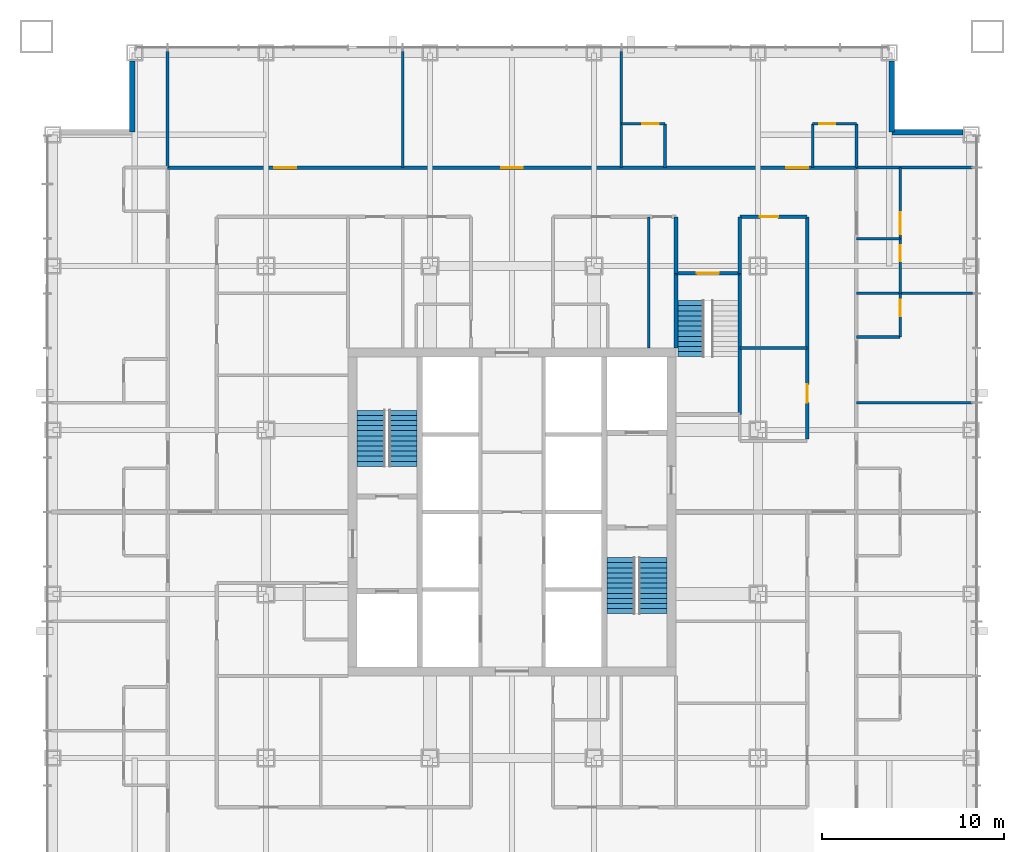
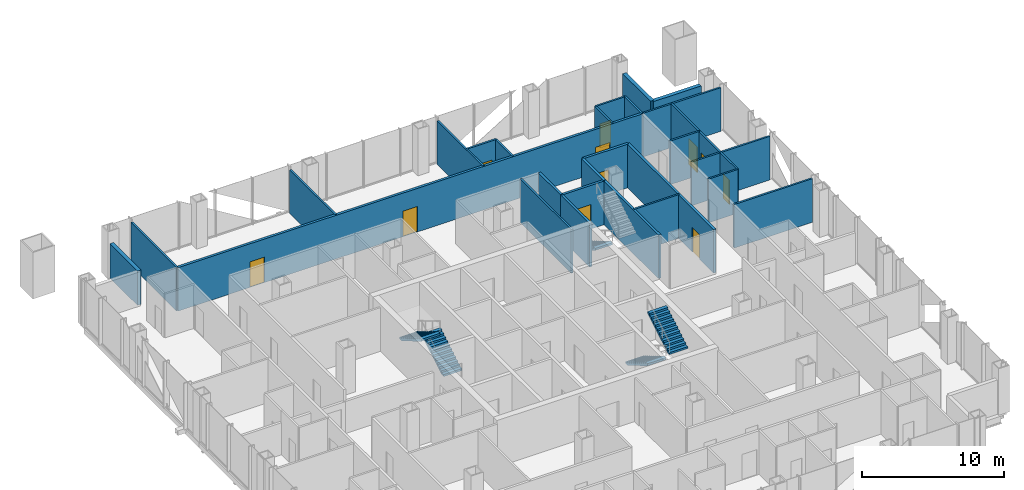
# One storey, part 11 of 17: 29 walls, 11 doors, 5 stair flights, 11 openings, 3 elements without a shape of their own.
"""IFC4 building model written with IfcOpenShell, lengths in metres."""

from ifc_helpers import new_model, si_unit, direction, frame, frame_2d, origin, place, context, subcontext, project, spatial, polyline, rectangle, outline, extrude, material, layer, layer_set, type_object, element, fill, aggregate, save


model = new_model("IFC4")

# Units and contexts
model_context = context("Model", 3, precision=1e-05, world=origin(), true_north=direction((0.0, 1.0)))
body_context = subcontext(model_context, "Body", "Model", "MODEL_VIEW")
ifc_project = project(units=[si_unit("LENGTHUNIT", "METRE"), si_unit("AREAUNIT", "SQUARE_METRE"), si_unit("VOLUMEUNIT", "CUBIC_METRE"), si_unit("PLANEANGLEUNIT", "RADIAN"), si_unit("MASSUNIT", "GRAM", prefix="KILO")], contexts=[model_context])

# Site, building, storey
site_placement = place(None, origin())
site = spatial("IfcSite", under=ifc_project, at=site_placement, CompositionType="ELEMENT")
building_placement = place(site_placement, origin())
building = spatial("IfcBuilding", under=site, at=building_placement, Name="Malebo Sky Hospital", CompositionType="ELEMENT")
storey_placement = place(building_placement, frame((0.0, 0.0, 83.0)))
storey = spatial("IfcBuildingStorey", under=building, at=storey_placement, Name="L19", CompositionType="ELEMENT", Elevation=83.0)

# Wall, openings, doors
ifc_material_1 = material(Name="Gypsum board on steel studs", Category="steel")
ifc_layer_1 = layer(ifc_material_1, 0.199951171875)
ifc_layer_set_1 = layer_set([ifc_layer_1], Name="CORRIDOR WALL 200")
wall_type_1 = type_object("IfcWallType", Name="CORRIDOR WALL 200", PredefinedType="PARTITIONING", material=ifc_layer_set_1)
wall_1_placement = place(storey_placement, frame((41.10009765625, 80.89990234375, 0.0), z_axis=(0.0, 0.0, 1.0), x_axis=(1.0, 0.0, 0.0)))
wall_1 = element("IfcWall", 1, at=wall_1_placement, inside=storey, type_object=wall_type_1, Name="Corridor Wall 200 NCO", PredefinedType="PARTITIONING", context=body_context, shape_type="SweptSolid", body=[
    extrude(rectangle(XDim=37.7998046875, YDim=0.199951171875, at=frame_2d((18.89990234375, 0.0))), origin(), (0.0, 0.0, 1.0), 3.75),
])
opening_1_placement = place(wall_1_placement, frame((5.85009765625, 0.0, 0.0)))
opening_1 = element("IfcOpeningElement", 2, at=opening_1_placement, cuts=wall_1, Name="Opening D01", PredefinedType="OPENING", context=body_context, shape_type="SweptSolid", body=[
    extrude(rectangle(XDim=1.199951171875, YDim=2.199951171875, at=frame_2d((0.60009765625, 1.10009765625))), frame((0.0, 0.10986328125, 0.0), z_axis=(0.0, -1.0, 0.0), x_axis=(1.0, 0.0, 0.0)), (0.0, 0.0, 1.0), 0.219970703125),
])
opening_2_placement = place(wall_1_placement, frame((18.300048828125, 0.0, 0.0)))
opening_2 = element("IfcOpeningElement", 3, at=opening_2_placement, cuts=wall_1, Name="Opening D01", PredefinedType="OPENING", context=body_context, shape_type="SweptSolid", body=[
    extrude(rectangle(XDim=1.199951171875, YDim=2.199951171875, at=frame_2d((0.60009765625, 1.10009765625))), frame((0.0, 0.10986328125, 0.0), z_axis=(0.0, -1.0, 0.0), x_axis=(1.0, 0.0, 0.0)), (0.0, 0.0, 1.0), 0.219970703125),
])
opening_3_placement = place(wall_1_placement, frame((33.949951171875, 0.0, 0.0)))
opening_3 = element("IfcOpeningElement", 4, at=opening_3_placement, cuts=wall_1, Name="Opening D01", PredefinedType="OPENING", context=body_context, shape_type="SweptSolid", body=[
    extrude(rectangle(XDim=1.199951171875, YDim=2.199951171875, at=frame_2d((0.60009765625, 1.10009765625))), frame((0.0, 0.10986328125, 0.0), z_axis=(0.0, -1.0, 0.0), x_axis=(1.0, 0.0, 0.0)), (0.0, 0.0, 1.0), 0.219970703125),
])
ifc_material_2 = material(Name="Hardwood-faced door leaf in steel frame", Category="steel")
door_type_1 = type_object("IfcDoorType", Name="BED DOOR 1200", OperationType="SINGLE_SWING_LEFT", PredefinedType="DOOR", material=ifc_material_2)
door_1_placement = place(opening_1_placement, origin())
door_1 = element("IfcDoor", 5, at=door_1_placement, inside=storey, type_object=door_type_1, Name="Dining room door", OperationType="SINGLE_SWING_LEFT", OverallHeight=2.199951171875, OverallWidth=1.199951171875, PredefinedType="DOOR", context=body_context, shape_type="SweptSolid", body=[
    extrude(rectangle(XDim=1.199951171875, YDim=2.199951171875, at=frame_2d((0.60009765625, 1.10009765625))), frame((0.0, 0.02490234375, 0.0), z_axis=(0.0, -1.0, 0.0), x_axis=(1.0, 0.0, 0.0)), (0.0, 0.0, 1.0), 0.050048828125),
])
fill(opening_1, door_1)
door_2_placement = place(opening_2_placement, origin())
door_2 = element("IfcDoor", 6, at=door_2_placement, inside=storey, type_object=door_type_1, Name="Therapy gym door", OperationType="SINGLE_SWING_LEFT", OverallHeight=2.199951171875, OverallWidth=1.199951171875, PredefinedType="DOOR", context=body_context, shape_type="SweptSolid", body=[
    extrude(rectangle(XDim=1.199951171875, YDim=2.199951171875, at=frame_2d((0.60009765625, 1.10009765625))), frame((0.0, 0.02490234375, 0.0), z_axis=(0.0, -1.0, 0.0), x_axis=(1.0, 0.0, 0.0)), (0.0, 0.0, 1.0), 0.050048828125),
])
fill(opening_2, door_2)
door_3_placement = place(opening_3_placement, origin())
door_3 = element("IfcDoor", 7, at=door_3_placement, inside=storey, type_object=door_type_1, Name="Four-bed bay door", OperationType="SINGLE_SWING_RIGHT", OverallHeight=2.199951171875, OverallWidth=1.199951171875, PredefinedType="DOOR", context=body_context, shape_type="SweptSolid", body=[
    extrude(rectangle(XDim=1.199951171875, YDim=2.199951171875, at=frame_2d((0.60009765625, 1.10009765625))), frame((0.0, 0.02490234375, 0.0), z_axis=(0.0, -1.0, 0.0), x_axis=(1.0, 0.0, 0.0)), (0.0, 0.0, 1.0), 0.050048828125),
])
fill(opening_3, door_3)

# Wall, opening, door
wall_2_placement = place(storey_placement, frame((72.5, 78.199951171875, 0.0), z_axis=(0.0, 0.0, 1.0), x_axis=(1.0, 0.0, 0.0)))
wall_2 = element("IfcWall", 8, at=wall_2_placement, inside=storey, type_object=wall_type_1, Name="Corridor Wall 200 NCI2/2", PredefinedType="PARTITIONING", context=body_context, shape_type="SweptSolid", body=[
    extrude(rectangle(XDim=3.699951171875, YDim=0.199951171875, at=frame_2d((1.85009765625, 0.0))), origin(), (0.0, 0.0, 1.0), 3.75),
])
opening_4_placement = place(wall_2_placement, frame((1.10009765625, 0.0, 0.0)))
opening_4 = element("IfcOpeningElement", 9, at=opening_4_placement, cuts=wall_2, Name="Opening D03", PredefinedType="OPENING", context=body_context, shape_type="SweptSolid", body=[
    extrude(rectangle(XDim=1.0, YDim=2.10009765625, at=frame_2d((0.5, 1.050048828125))), frame((0.0, 0.10986328125, 0.0), z_axis=(0.0, -1.0, 0.0), x_axis=(1.0, 0.0, 0.0)), (0.0, 0.0, 1.0), 0.219970703125),
])
door_type_2 = type_object("IfcDoorType", Name="ROOM DOOR 1000", OperationType="SINGLE_SWING_LEFT", PredefinedType="DOOR", material=ifc_material_2)
door_4_placement = place(opening_4_placement, origin())
door_4 = element("IfcDoor", 10, at=door_4_placement, inside=storey, type_object=door_type_2, Name="Clean utility room door", OperationType="SINGLE_SWING_LEFT", OverallHeight=2.10009765625, OverallWidth=1.0, PredefinedType="DOOR", context=body_context, shape_type="SweptSolid", body=[
    extrude(rectangle(XDim=1.0, YDim=2.10009765625, at=frame_2d((0.5, 1.050048828125))), frame((0.0, 0.02490234375, 0.0), z_axis=(0.0, -1.0, 0.0), x_axis=(1.0, 0.0, 0.0)), (0.0, 0.0, 1.0), 0.050048828125),
])
fill(opening_4, door_4)

wall_3_placement = place(storey_placement, frame((76.199951171875, 78.199951171875, 0.0), z_axis=(0.0, 0.0, 1.0), x_axis=(0.0, -1.0, 0.0)))
wall_3 = element("IfcWall", 11, at=wall_3_placement, inside=storey, type_object=wall_type_1, Name="Corridor Wall 200 ECI1", PredefinedType="PARTITIONING", context=body_context, shape_type="SweptSolid", body=[
    extrude(rectangle(XDim=12.199951171875, YDim=0.199951171875, at=frame_2d((6.10009765625, 0.0))), origin(), (0.0, 0.0, 1.0), 3.75),
])
opening_5_placement = place(wall_3_placement, frame((9.199951171875, 0.0, 0.0)))
opening_5 = element("IfcOpeningElement", 12, at=opening_5_placement, cuts=wall_3, Name="Opening D03", PredefinedType="OPENING", context=body_context, shape_type="SweptSolid", body=[
    extrude(rectangle(XDim=1.0, YDim=2.10009765625, at=frame_2d((0.5, 1.050048828125))), frame((0.0, 0.10986328125, 0.0), z_axis=(0.0, -1.0, 0.0), x_axis=(1.0, 0.0, 0.0)), (0.0, 0.0, 1.0), 0.219970703125),
])
door_5_placement = place(opening_5_placement, origin())
door_5 = element("IfcDoor", 13, at=door_5_placement, inside=storey, type_object=door_type_2, Name="Interview room door", OperationType="SINGLE_SWING_LEFT", OverallHeight=2.10009765625, OverallWidth=1.0, PredefinedType="DOOR", context=body_context, shape_type="SweptSolid", body=[
    extrude(rectangle(XDim=1.0, YDim=2.10009765625, at=frame_2d((0.5, 1.050048828125))), frame((0.0, 0.02490234375, 0.0), z_axis=(0.0, -1.0, 0.0), x_axis=(1.0, 0.0, 0.0)), (0.0, 0.0, 1.0), 0.050048828125),
])
fill(opening_5, door_5)

# Walls
for number, where, z_axis, x_axis, name in (
    (14, (69.0, 75.10009765625, 0.0), (0.0, 0.0, 1.0), (0.0, 1.0, 0.0), "Corridor Wall 200 ST3AW"),
    (15, (72.5, 75.10009765625, 0.0), (0.0, 0.0, 1.0), (0.0, 1.0, 0.0), "Corridor Wall 200 ST3AE"),
):
    element("IfcWall", number, at=place(storey_placement, frame(where, z_axis=z_axis, x_axis=x_axis)), inside=storey, type_object=wall_type_1, Name=name, PredefinedType="PARTITIONING", context=body_context, shape_type="SweptSolid", body=[
        extrude(rectangle(XDim=3.099853515625, YDim=0.199951171875, at=frame_2d((1.5498046875, 0.0))), origin(), (0.0, 0.0, 1.0), 3.75),
    ])
ifc_material_3 = material(Name="Anodised aluminium rainscreen on steel framing", Category="steel")
ifc_layer_2 = layer(ifc_material_3, 0.300048828125)
ifc_layer_set_2 = layer_set([ifc_layer_2], Name="NOTCH RAINSCREEN WALL 300")
wall_type_2 = type_object("IfcWallType", Name="NOTCH RAINSCREEN WALL 300", PredefinedType="ELEMENTEDWALL", material=ifc_layer_set_2)
for number, where, z_axis, x_axis, name in (
    (16, (80.85009765625, 86.75, 0.0), (0.0, 0.0, 1.0), (0.0, -1.0, 0.0), "Notch rainscreen wall N1 L19"),
    (17, (80.85009765625, 82.85009765625, 0.0), (0.0, 0.0, 1.0), (1.0, 0.0, 0.0), "Notch rainscreen wall N2 L19"),
    (18, (39.14990234375, 82.85009765625, 0.0), (0.0, 0.0, 1.0), (0.0, 1.0, 0.0), "Notch rainscreen wall W2 L19"),
):
    element("IfcWall", number, at=place(storey_placement, frame(where, z_axis=z_axis, x_axis=x_axis)), inside=storey, type_object=wall_type_2, Name=name, PredefinedType="ELEMENTEDWALL", context=body_context, shape_type="SweptSolid", body=[
        extrude(rectangle(XDim=3.89990234375, YDim=0.300048828125, at=frame_2d((1.949951171875, 0.0))), origin(), (0.0, 0.0, 1.0), 2.949951171875),
    ])
ifc_layer_3 = layer(ifc_material_1, 0.14990234375)
ifc_layer_set_3 = layer_set([ifc_layer_3], Name="PARTITION 150")
wall_type_3 = type_object("IfcWallType", Name="PARTITION 150", PredefinedType="PARTITIONING", material=ifc_layer_set_3)
for number, where, z_axis, x_axis, name in (
    (19, (54.0, 80.89990234375, 0.0), (0.0, 0.0, 1.0), (0.0, 1.0, 0.0), "Partition 150 NP-6.0"),
    (20, (66.0, 80.89990234375, 0.0), (0.0, 0.0, 1.0), (0.0, 1.0, 0.0), "Partition 150 NP+6.0"),
    (21, (41.10009765625, 80.89990234375, 0.0), (0.0, 0.0, 1.0), (0.0, 1.0, 0.0), "Partition 150 NP0"),
):
    element("IfcWall", number, at=place(storey_placement, frame(where, z_axis=z_axis, x_axis=x_axis)), inside=storey, type_object=wall_type_3, Name=name, PredefinedType="PARTITIONING", context=body_context, shape_type="SweptSolid", body=[
        extrude(rectangle(XDim=6.375, YDim=0.14990234375, at=frame_2d((3.1875, 0.0))), origin(), (0.0, 0.0, 1.0), 3.75),
    ])

# Wall, opening, door
wall_4_placement = place(storey_placement, frame((76.5, 83.300048828125, 0.0), z_axis=(0.0, 0.0, 1.0), x_axis=(1.0, 0.0, 0.0)))
wall_4 = element("IfcWall", 22, at=wall_4_placement, inside=storey, type_object=wall_type_3, Name="Partition 150 NE2F", PredefinedType="PARTITIONING", context=body_context, shape_type="SweptSolid", body=[
    extrude(rectangle(XDim=2.39990234375, YDim=0.14990234375, at=frame_2d((1.199951171875, 0.0))), origin(), (0.0, 0.0, 1.0), 3.75),
])
opening_6_placement = place(wall_4_placement, frame((0.35009765625, 0.0, 0.0)))
opening_6 = element("IfcOpeningElement", 23, at=opening_6_placement, cuts=wall_4, Name="Opening D02", PredefinedType="OPENING", context=body_context, shape_type="SweptSolid", body=[
    extrude(rectangle(XDim=0.89990234375, YDim=2.10009765625, at=frame_2d((0.449951171875, 1.050048828125))), frame((0.0, 0.0849609375, 0.0), z_axis=(0.0, -1.0, 0.0), x_axis=(1.0, 0.0, 0.0)), (0.0, 0.0, 1.0), 0.169921875),
])
door_type_3 = type_object("IfcDoorType", Name="EN-SUITE DOOR 900", OperationType="SINGLE_SWING_LEFT", PredefinedType="DOOR", material=ifc_material_2)
door_6_placement = place(opening_6_placement, origin())
door_6 = element("IfcDoor", 24, at=door_6_placement, inside=storey, type_object=door_type_3, Name="En-suite door", OperationType="SINGLE_SWING_LEFT", OverallHeight=2.10009765625, OverallWidth=0.89990234375, PredefinedType="DOOR", context=body_context, shape_type="SweptSolid", body=[
    extrude(rectangle(XDim=0.89990234375, YDim=2.10009765625, at=frame_2d((0.449951171875, 1.050048828125))), frame((0.0, 0.02490234375, 0.0), z_axis=(0.0, -1.0, 0.0), x_axis=(1.0, 0.0, 0.0)), (0.0, 0.0, 1.0), 0.050048828125),
])
fill(opening_6, door_6)

# Wall
wall_5_placement = place(storey_placement, frame((76.5, 80.89990234375, 0.0), z_axis=(0.0, 0.0, 1.0), x_axis=(0.0, 1.0, 0.0)))
element("IfcWall", 25, at=wall_5_placement, inside=storey, type_object=wall_type_3, Name="Partition 150 NE2S", PredefinedType="PARTITIONING", context=body_context, shape_type="SweptSolid", body=[
    extrude(rectangle(XDim=2.400146484375, YDim=0.14990234375, at=frame_2d((1.2001953125, 0.0))), origin(), (0.0, 0.0, 1.0), 3.75),
])

# Wall, opening, door
wall_6_placement = place(storey_placement, frame((66.0, 83.300048828125, 0.0), z_axis=(0.0, 0.0, 1.0), x_axis=(1.0, 0.0, 0.0)))
wall_6 = element("IfcWall", 26, at=wall_6_placement, inside=storey, type_object=wall_type_3, Name="Partition 150 NG2F", PredefinedType="PARTITIONING", context=body_context, shape_type="SweptSolid", body=[
    extrude(rectangle(XDim=2.39990234375, YDim=0.14990234375, at=frame_2d((1.199951171875, 0.0))), origin(), (0.0, 0.0, 1.0), 3.75),
])
opening_7_placement = place(wall_6_placement, frame((1.14990234375, 0.0, 0.0)))
opening_7 = element("IfcOpeningElement", 27, at=opening_7_placement, cuts=wall_6, Name="Opening D02", PredefinedType="OPENING", context=body_context, shape_type="SweptSolid", body=[
    extrude(rectangle(XDim=0.89990234375, YDim=2.10009765625, at=frame_2d((0.449951171875, 1.050048828125))), frame((0.0, 0.0849609375, 0.0), z_axis=(0.0, -1.0, 0.0), x_axis=(1.0, 0.0, 0.0)), (0.0, 0.0, 1.0), 0.169921875),
])
door_7_placement = place(opening_7_placement, origin())
door_7 = element("IfcDoor", 28, at=door_7_placement, inside=storey, type_object=door_type_3, Name="En-suite door", OperationType="SINGLE_SWING_RIGHT", OverallHeight=2.10009765625, OverallWidth=0.89990234375, PredefinedType="DOOR", context=body_context, shape_type="SweptSolid", body=[
    extrude(rectangle(XDim=0.89990234375, YDim=2.10009765625, at=frame_2d((0.449951171875, 1.050048828125))), frame((0.0, 0.02490234375, 0.0), z_axis=(0.0, -1.0, 0.0), x_axis=(1.0, 0.0, 0.0)), (0.0, 0.0, 1.0), 0.050048828125),
])
fill(opening_7, door_7)

# Walls
for number, where, z_axis, x_axis, name in (
    (29, (68.39990234375, 80.89990234375, 0.0), (0.0, 0.0, 1.0), (0.0, 1.0, 0.0), "Partition 150 NG2S"),
    (30, (78.89990234375, 80.89990234375, 0.0), (0.0, 0.0, 1.0), (0.0, 1.0, 0.0), "Partition 150 NEZ"),
):
    element("IfcWall", number, at=place(storey_placement, frame(where, z_axis=z_axis, x_axis=x_axis)), inside=storey, type_object=wall_type_3, Name=name, PredefinedType="PARTITIONING", context=body_context, shape_type="SweptSolid", body=[
        extrude(rectangle(XDim=2.400146484375, YDim=0.14990234375, at=frame_2d((1.2001953125, 0.0))), origin(), (0.0, 0.0, 1.0), 3.75),
    ])
wall_7_placement = place(storey_placement, frame((67.5, 71.0, 0.0), z_axis=(0.0, 0.0, 1.0), x_axis=(0.0, 1.0, 0.0)))
element("IfcWall", 31, at=wall_7_placement, inside=storey, type_object=wall_type_3, Name="Partition 150 NSP+7.5", PredefinedType="PARTITIONING", context=body_context, shape_type="SweptSolid", body=[
    extrude(rectangle(XDim=7.199951171875, YDim=0.14990234375, at=frame_2d((3.60009765625, 0.0))), origin(), (0.0, 0.0, 1.0), 3.75),
])
for number, where, z_axis, x_axis, name in (
    (32, (78.89990234375, 74.0, 0.0), (0.0, 0.0, 1.0), (1.0, 0.0, 0.0), "Partition 150 EP-12.0"),
    (33, (78.89990234375, 68.0, 0.0), (0.0, 0.0, 1.0), (1.0, 0.0, 0.0), "Partition 150 EP-6.0"),
    (34, (78.89990234375, 80.89990234375, 0.0), (0.0, 0.0, 1.0), (1.0, 0.0, 0.0), "Partition 150 EP0"),
):
    element("IfcWall", number, at=place(storey_placement, frame(where, z_axis=z_axis, x_axis=x_axis)), inside=storey, type_object=wall_type_3, Name=name, PredefinedType="PARTITIONING", context=body_context, shape_type="SweptSolid", body=[
        extrude(rectangle(XDim=6.375, YDim=0.14990234375, at=frame_2d((3.1875, 0.0))), origin(), (0.0, 0.0, 1.0), 3.75),
    ])

# Wall, opening, door
wall_8_placement = place(storey_placement, frame((81.300048828125, 77.0, 0.0), z_axis=(0.0, 0.0, 1.0), x_axis=(0.0, -1.0, 0.0)))
wall_8 = element("IfcWall", 35, at=wall_8_placement, inside=storey, type_object=wall_type_3, Name="Partition 150 EE0F", PredefinedType="PARTITIONING", context=body_context, shape_type="SweptSolid", body=[
    extrude(rectangle(XDim=3.0, YDim=0.14990234375, at=frame_2d((1.5, 0.0))), origin(), (0.0, 0.0, 1.0), 3.75),
])
opening_8_placement = place(wall_8_placement, frame((0.35009765625, 0.0, 0.0)))
opening_8 = element("IfcOpeningElement", 36, at=opening_8_placement, cuts=wall_8, Name="Opening D02", PredefinedType="OPENING", context=body_context, shape_type="SweptSolid", body=[
    extrude(rectangle(XDim=0.89990234375, YDim=2.10009765625, at=frame_2d((0.449951171875, 1.050048828125))), frame((0.0, 0.0849609375, 0.0), z_axis=(0.0, -1.0, 0.0), x_axis=(1.0, 0.0, 0.0)), (0.0, 0.0, 1.0), 0.169921875),
])
door_8_placement = place(opening_8_placement, origin())
door_8 = element("IfcDoor", 37, at=door_8_placement, inside=storey, type_object=door_type_3, Name="En-suite door", OperationType="SINGLE_SWING_LEFT", OverallHeight=2.10009765625, OverallWidth=0.89990234375, PredefinedType="DOOR", context=body_context, shape_type="SweptSolid", body=[
    extrude(rectangle(XDim=0.89990234375, YDim=2.10009765625, at=frame_2d((0.449951171875, 1.050048828125))), frame((0.0, 0.02490234375, 0.0), z_axis=(0.0, -1.0, 0.0), x_axis=(1.0, 0.0, 0.0)), (0.0, 0.0, 1.0), 0.050048828125),
])
fill(opening_8, door_8)

# Wall
wall_9_placement = place(storey_placement, frame((78.89990234375, 77.0, 0.0), z_axis=(0.0, 0.0, 1.0), x_axis=(1.0, 0.0, 0.0)))
element("IfcWall", 38, at=wall_9_placement, inside=storey, type_object=wall_type_3, Name="Partition 150 EE0S", PredefinedType="PARTITIONING", context=body_context, shape_type="SweptSolid", body=[
    extrude(rectangle(XDim=2.400146484375, YDim=0.14990234375, at=frame_2d((1.2001953125, 0.0))), origin(), (0.0, 0.0, 1.0), 3.75),
])

# Wall, opening, door
wall_10_placement = place(storey_placement, frame((81.300048828125, 74.0, 0.0), z_axis=(0.0, 0.0, 1.0), x_axis=(0.0, -1.0, 0.0)))
wall_10 = element("IfcWall", 39, at=wall_10_placement, inside=storey, type_object=wall_type_3, Name="Partition 150 EE1F", PredefinedType="PARTITIONING", context=body_context, shape_type="SweptSolid", body=[
    extrude(rectangle(XDim=2.39990234375, YDim=0.14990234375, at=frame_2d((1.199951171875, 0.0))), origin(), (0.0, 0.0, 1.0), 3.75),
])
opening_9_placement = place(wall_10_placement, frame((0.35009765625, 0.0, 0.0)))
opening_9 = element("IfcOpeningElement", 40, at=opening_9_placement, cuts=wall_10, Name="Opening D02", PredefinedType="OPENING", context=body_context, shape_type="SweptSolid", body=[
    extrude(rectangle(XDim=0.89990234375, YDim=2.10009765625, at=frame_2d((0.449951171875, 1.050048828125))), frame((0.0, 0.0849609375, 0.0), z_axis=(0.0, -1.0, 0.0), x_axis=(1.0, 0.0, 0.0)), (0.0, 0.0, 1.0), 0.169921875),
])
door_9_placement = place(opening_9_placement, origin())
door_9 = element("IfcDoor", 41, at=door_9_placement, inside=storey, type_object=door_type_3, Name="En-suite door", OperationType="SINGLE_SWING_LEFT", OverallHeight=2.10009765625, OverallWidth=0.89990234375, PredefinedType="DOOR", context=body_context, shape_type="SweptSolid", body=[
    extrude(rectangle(XDim=0.89990234375, YDim=2.10009765625, at=frame_2d((0.449951171875, 1.050048828125))), frame((0.0, 0.02490234375, 0.0), z_axis=(0.0, -1.0, 0.0), x_axis=(1.0, 0.0, 0.0)), (0.0, 0.0, 1.0), 0.050048828125),
])
fill(opening_9, door_9)

# Walls
wall_11_placement = place(storey_placement, frame((78.89990234375, 71.60009765625, 0.0), z_axis=(0.0, 0.0, 1.0), x_axis=(1.0, 0.0, 0.0)))
element("IfcWall", 42, at=wall_11_placement, inside=storey, type_object=wall_type_3, Name="Partition 150 EE1S", PredefinedType="PARTITIONING", context=body_context, shape_type="SweptSolid", body=[
    extrude(rectangle(XDim=2.400146484375, YDim=0.14990234375, at=frame_2d((1.2001953125, 0.0))), origin(), (0.0, 0.0, 1.0), 3.75),
])
wall_12_placement = place(storey_placement, frame((72.5, 71.0, 0.0), z_axis=(0.0, 0.0, 1.0), x_axis=(1.0, 0.0, 0.0)))
element("IfcWall", 43, at=wall_12_placement, inside=storey, type_object=wall_type_3, Name="Partition 150 ESP0", PredefinedType="PARTITIONING", context=body_context, shape_type="SweptSolid", body=[
    extrude(rectangle(XDim=3.699951171875, YDim=0.14990234375, at=frame_2d((1.85009765625, 0.0))), origin(), (0.0, 0.0, 1.0), 3.75),
])

# Wall, opening, door
ifc_material_4 = material(Name="Sealed gypsum board on steel studs, taped to the slab", Category="steel")
ifc_layer_4 = layer(ifc_material_4, 0.14990234375)
ifc_layer_set_4 = layer_set([ifc_layer_4], Name="SEALED ISOLATION PARTITION 150")
wall_type_4 = type_object("IfcWallType", Name="SEALED ISOLATION PARTITION 150", PredefinedType="PARTITIONING", material=ifc_layer_set_4)
wall_13_placement = place(storey_placement, frame((81.300048828125, 80.89990234375, 0.0), z_axis=(0.0, 0.0, 1.0), x_axis=(0.0, -1.0, 0.0)))
wall_13 = element("IfcWall", 44, at=wall_13_placement, inside=storey, type_object=wall_type_4, Name="Sealed Isolation Partition 150 EA0F", PredefinedType="PARTITIONING", context=body_context, shape_type="SweptSolid", body=[
    extrude(rectangle(XDim=3.89990234375, YDim=0.14990234375, at=frame_2d((1.949951171875, 0.0))), origin(), (0.0, 0.0, 1.0), 3.75),
])
opening_10_placement = place(wall_13_placement, frame((2.449951171875, 0.0, 0.0)))
opening_10 = element("IfcOpeningElement", 45, at=opening_10_placement, cuts=wall_13, Name="Opening D19", PredefinedType="OPENING", context=body_context, shape_type="SweptSolid", body=[
    extrude(rectangle(XDim=1.199951171875, YDim=2.199951171875, at=frame_2d((0.60009765625, 1.10009765625))), frame((0.0, 0.0849609375, 0.0), z_axis=(0.0, -1.0, 0.0), x_axis=(1.0, 0.0, 0.0)), (0.0, 0.0, 1.0), 0.169921875),
])
ifc_material_5 = material(Name="Hardwood-faced door leaf with perimeter seals in steel frame", Category="steel")
door_type_4 = type_object("IfcDoorType", Name="SEALED ISOLATION ROOM DOOR 1200", OperationType="SINGLE_SWING_LEFT", PredefinedType="DOOR", material=ifc_material_5)
door_10_placement = place(opening_10_placement, origin())
door_10 = element("IfcDoor", 46, at=door_10_placement, inside=storey, type_object=door_type_4, Name="Isolation room door", OperationType="SINGLE_SWING_RIGHT", OverallHeight=2.199951171875, OverallWidth=1.199951171875, PredefinedType="DOOR", context=body_context, shape_type="SweptSolid", body=[
    extrude(rectangle(XDim=1.199951171875, YDim=2.199951171875, at=frame_2d((0.60009765625, 1.10009765625))), frame((0.0, 0.02490234375, 0.0), z_axis=(0.0, -1.0, 0.0), x_axis=(1.0, 0.0, 0.0)), (0.0, 0.0, 1.0), 0.050048828125),
])
fill(opening_10, door_10)

# Walls
ifc_material_6 = material(Name="Concrete C40/50", Category="concrete")
ifc_layer_5 = layer(ifc_material_6, 0.199951171875)
ifc_layer_set_5 = layer_set([ifc_layer_5], Name="STAIR ENCLOSURE WALL 200")
wall_type_5 = type_object("IfcWallType", Name="STAIR ENCLOSURE WALL 200", PredefinedType="SOLIDWALL", material=ifc_layer_set_5)
wall_14_placement = place(storey_placement, frame((69.0, 71.0, 0.0), z_axis=(0.0, 0.0, 1.0), x_axis=(0.0, 1.0, 0.0)))
element("IfcWall", 47, at=wall_14_placement, inside=storey, type_object=wall_type_5, Name="Stair Enclosure Wall 200 ST3W", PredefinedType="SOLIDWALL", context=body_context, shape_type="SweptSolid", body=[
    extrude(rectangle(XDim=4.10009765625, YDim=0.199951171875, at=frame_2d((2.050048828125, 0.0))), origin(), (0.0, 0.0, 1.0), 3.75),
])
wall_15_placement = place(storey_placement, frame((72.5, 67.35009765625, 0.0), z_axis=(0.0, 0.0, 1.0), x_axis=(0.0, 1.0, 0.0)))
element("IfcWall", 48, at=wall_15_placement, inside=storey, type_object=wall_type_5, Name="Stair Enclosure Wall 200 ST3E", PredefinedType="SOLIDWALL", context=body_context, shape_type="SweptSolid", body=[
    extrude(rectangle(XDim=7.75, YDim=0.199951171875, at=frame_2d((3.875, 0.0))), origin(), (0.0, 0.0, 1.0), 3.75),
])

# Wall, opening, door
wall_16_placement = place(storey_placement, frame((69.0, 75.10009765625, 0.0), z_axis=(0.0, 0.0, 1.0), x_axis=(1.0, 0.0, 0.0)))
wall_16 = element("IfcWall", 49, at=wall_16_placement, inside=storey, type_object=wall_type_5, Name="Stair Enclosure Wall 200 ST3N", PredefinedType="SOLIDWALL", context=body_context, shape_type="SweptSolid", body=[
    extrude(rectangle(XDim=3.5, YDim=0.199951171875, at=frame_2d((1.75, 0.0))), origin(), (0.0, 0.0, 1.0), 3.75),
])
opening_11_placement = place(wall_16_placement, frame((1.14990234375, 0.0, 0.0)))
opening_11 = element("IfcOpeningElement", 50, at=opening_11_placement, cuts=wall_16, Name="Opening D08", PredefinedType="OPENING", context=body_context, shape_type="SweptSolid", body=[
    extrude(rectangle(XDim=1.199951171875, YDim=2.10009765625, at=frame_2d((0.60009765625, 1.050048828125))), frame((0.0, 0.10986328125, 0.0), z_axis=(0.0, -1.0, 0.0), x_axis=(1.0, 0.0, 0.0)), (0.0, 0.0, 1.0), 0.219970703125),
])
door_type_5 = type_object("IfcDoorType", Name="STAIR DOOR 1200", OperationType="SINGLE_SWING_LEFT", PredefinedType="DOOR", material=ifc_material_2)
door_11_placement = place(opening_11_placement, origin())
door_11 = element("IfcDoor", 51, at=door_11_placement, inside=storey, type_object=door_type_5, Name="Stair S3 door", OperationType="SINGLE_SWING_LEFT", OverallHeight=2.10009765625, OverallWidth=1.199951171875, PredefinedType="DOOR", context=body_context, shape_type="SweptSolid", body=[
    extrude(rectangle(XDim=1.199951171875, YDim=2.10009765625, at=frame_2d((0.60009765625, 1.050048828125))), frame((0.0, 0.02490234375, 0.0), z_axis=(0.0, -1.0, 0.0), x_axis=(1.0, 0.0, 0.0)), (0.0, 0.0, 1.0), 0.050048828125),
])
fill(opening_11, door_11)

# Stair, stair flight
stair_type_1 = type_object("IfcStairType", Name="HALF-TURN STAIR 1400 R167", PredefinedType="HALF_TURN_STAIR", material=ifc_material_6)
stair_1_placement = place(storey_placement, origin())
stair_1 = element("IfcStair", 52, at=stair_1_placement, inside=storey, type_object=stair_type_1, Name="Stair S3 L19 type ST1B", PredefinedType="HALF_TURN_STAIR")
stair_flight_type_1 = type_object("IfcStairFlightType", Name="STAIR FLIGHT 1400 R167", PredefinedType="STRAIGHT", material=ifc_material_6)
stair_flight_1_placement = place(storey_placement, frame((69.800048828125, 73.60009765625, 0.0), z_axis=(0.0, 0.0, 1.0), x_axis=(0.0, -1.0, 0.0)))
stair_flight_1 = element("IfcStairFlight", 53, at=stair_flight_1_placement, type_object=stair_flight_type_1, Name="S3 flight 1 type SF1B", NumberOfRisers=12, NumberOfTreads=11, PredefinedType="STRAIGHT", RiserHeight=0.166666667, TreadLength=0.28, context=body_context, shape_type="SweptSolid", body=[
    extrude(outline(polyline([(0.0, 0.0), (0.0, 0.166748046875), (0.280029296875, 0.166748046875), (0.280029296875, 0.333251953125), (0.56005859375, 0.333251953125), (0.56005859375, 0.5), (0.840087890625, 0.5), (0.840087890625, 0.666748046875), (1.1201171875, 0.666748046875), (1.1201171875, 0.833251953125), (1.39990234375, 0.833251953125), (1.39990234375, 1.0), (1.679931640625, 1.0), (1.679931640625, 1.166748046875), (1.9599609375, 1.166748046875), (1.9599609375, 1.333251953125), (2.239990234375, 1.333251953125), (2.239990234375, 1.5), (2.52001953125, 1.5), (2.52001953125, 1.666748046875), (2.800048828125, 1.666748046875), (2.800048828125, 1.833251953125), (3.080078125, 1.833251953125), (3.080078125, 2.0), (3.080078125, 1.658935546875), (0.29296875, 0.0), (0.0, 0.0)])), frame((0.0, 0.699951171875, 0.0), z_axis=(0.0, -1.0, 0.0), x_axis=(1.0, 0.0, 0.0)), (0.0, 0.0, 1.0), 1.39990234375),
])
aggregate(stair_1, [stair_flight_1])

# Stair, stair flights
stair_type_2 = type_object("IfcStairType", Name="HALF-TURN STAIR 1500 R167", PredefinedType="HALF_TURN_STAIR", material=ifc_material_6)
stair_2_placement = place(storey_placement, origin())
stair_2 = element("IfcStair", 54, at=stair_2_placement, inside=storey, type_object=stair_type_2, Name="Stair S1 L19 type ST1", PredefinedType="HALF_TURN_STAIR")
stair_flight_type_2 = type_object("IfcStairFlightType", Name="STAIR FLIGHT 1500 R167", PredefinedType="STRAIGHT", material=ifc_material_6)
stair_flight_2_placement = place(storey_placement, frame((54.050048828125, 64.5, 0.0), z_axis=(0.0, 0.0, 1.0), x_axis=(0.0, 1.0, 0.0)))
stair_flight_2 = element("IfcStairFlight", 55, at=stair_flight_2_placement, type_object=stair_flight_type_2, Name="S1 flight 1 type SF1", NumberOfRisers=12, NumberOfTreads=11, PredefinedType="STRAIGHT", RiserHeight=0.166666667, TreadLength=0.28, context=body_context, shape_type="SweptSolid", body=[
    extrude(outline(polyline([(0.0, 0.0), (0.0, 0.166748046875), (0.280029296875, 0.166748046875), (0.280029296875, 0.333251953125), (0.56005859375, 0.333251953125), (0.56005859375, 0.5), (0.840087890625, 0.5), (0.840087890625, 0.666748046875), (1.1201171875, 0.666748046875), (1.1201171875, 0.833251953125), (1.39990234375, 0.833251953125), (1.39990234375, 1.0), (1.679931640625, 1.0), (1.679931640625, 1.166748046875), (1.9599609375, 1.166748046875), (1.9599609375, 1.333251953125), (2.239990234375, 1.333251953125), (2.239990234375, 1.5), (2.52001953125, 1.5), (2.52001953125, 1.666748046875), (2.800048828125, 1.666748046875), (2.800048828125, 1.833251953125), (3.080078125, 1.833251953125), (3.080078125, 2.0), (3.080078125, 1.658935546875), (0.29296875, 0.0), (0.0, 0.0)])), frame((0.0, 0.75, 0.0), z_axis=(0.0, -1.0, 0.0), x_axis=(1.0, 0.0, 0.0)), (0.0, 0.0, 1.0), 1.5),
])
stair_flight_3_placement = place(storey_placement, frame((52.25, 67.580078125, 2.0), z_axis=(0.0, 0.0, 1.0), x_axis=(0.0, -1.0, 0.0)))
stair_flight_3 = element("IfcStairFlight", 56, at=stair_flight_3_placement, type_object=stair_flight_type_2, Name="S1 flight 2 type SF1", NumberOfRisers=12, NumberOfTreads=11, PredefinedType="STRAIGHT", RiserHeight=0.166666667, TreadLength=0.28, context=body_context, shape_type="SweptSolid", body=[
    extrude(outline(polyline([(0.0, 0.0), (0.0, 0.166748046875), (0.280029296875, 0.166748046875), (0.280029296875, 0.333251953125), (0.56005859375, 0.333251953125), (0.56005859375, 0.5), (0.840087890625, 0.5), (0.840087890625, 0.666748046875), (1.1201171875, 0.666748046875), (1.1201171875, 0.833251953125), (1.39990234375, 0.833251953125), (1.39990234375, 1.0), (1.679931640625, 1.0), (1.679931640625, 1.166748046875), (1.9599609375, 1.166748046875), (1.9599609375, 1.333251953125), (2.239990234375, 1.333251953125), (2.239990234375, 1.5), (2.52001953125, 1.5), (2.52001953125, 1.666748046875), (2.800048828125, 1.666748046875), (2.800048828125, 1.833251953125), (3.080078125, 1.833251953125), (3.080078125, 2.0), (3.080078125, 1.658935546875), (0.29296875, 0.0), (0.0, 0.0)])), frame((0.0, 0.75, 0.0), z_axis=(0.0, -1.0, 0.0), x_axis=(1.0, 0.0, 0.0)), (0.0, 0.0, 1.0), 1.5),
])
aggregate(stair_2, [stair_flight_2, stair_flight_3])

stair_3_placement = place(storey_placement, origin())
stair_3 = element("IfcStair", 57, at=stair_3_placement, inside=storey, type_object=stair_type_2, Name="Stair S2 L19 type ST1", PredefinedType="HALF_TURN_STAIR")
stair_flight_4_placement = place(storey_placement, frame((65.949951171875, 59.5, 0.0), z_axis=(0.0, 0.0, 1.0), x_axis=(0.0, -1.0, 0.0)))
stair_flight_4 = element("IfcStairFlight", 58, at=stair_flight_4_placement, type_object=stair_flight_type_2, Name="S2 flight 1 type SF1", NumberOfRisers=12, NumberOfTreads=11, PredefinedType="STRAIGHT", RiserHeight=0.166666667, TreadLength=0.28, context=body_context, shape_type="SweptSolid", body=[
    extrude(outline(polyline([(0.0, 0.0), (0.0, 0.166748046875), (0.280029296875, 0.166748046875), (0.280029296875, 0.333251953125), (0.56005859375, 0.333251953125), (0.56005859375, 0.5), (0.840087890625, 0.5), (0.840087890625, 0.666748046875), (1.1201171875, 0.666748046875), (1.1201171875, 0.833251953125), (1.39990234375, 0.833251953125), (1.39990234375, 1.0), (1.679931640625, 1.0), (1.679931640625, 1.166748046875), (1.9599609375, 1.166748046875), (1.9599609375, 1.333251953125), (2.239990234375, 1.333251953125), (2.239990234375, 1.5), (2.52001953125, 1.5), (2.52001953125, 1.666748046875), (2.800048828125, 1.666748046875), (2.800048828125, 1.833251953125), (3.080078125, 1.833251953125), (3.080078125, 2.0), (3.080078125, 1.658935546875), (0.29296875, 0.0), (0.0, 0.0)])), frame((0.0, 0.75, 0.0), z_axis=(0.0, -1.0, 0.0), x_axis=(1.0, 0.0, 0.0)), (0.0, 0.0, 1.0), 1.5),
])
stair_flight_5_placement = place(storey_placement, frame((67.75, 56.419921875, 2.0), z_axis=(0.0, 0.0, 1.0), x_axis=(0.0, 1.0, 0.0)))
stair_flight_5 = element("IfcStairFlight", 59, at=stair_flight_5_placement, type_object=stair_flight_type_2, Name="S2 flight 2 type SF1", NumberOfRisers=12, NumberOfTreads=11, PredefinedType="STRAIGHT", RiserHeight=0.166666667, TreadLength=0.28, context=body_context, shape_type="SweptSolid", body=[
    extrude(outline(polyline([(0.0, 0.0), (0.0, 0.166748046875), (0.280029296875, 0.166748046875), (0.280029296875, 0.333251953125), (0.56005859375, 0.333251953125), (0.56005859375, 0.5), (0.840087890625, 0.5), (0.840087890625, 0.666748046875), (1.1201171875, 0.666748046875), (1.1201171875, 0.833251953125), (1.39990234375, 0.833251953125), (1.39990234375, 1.0), (1.679931640625, 1.0), (1.679931640625, 1.166748046875), (1.9599609375, 1.166748046875), (1.9599609375, 1.333251953125), (2.239990234375, 1.333251953125), (2.239990234375, 1.5), (2.52001953125, 1.5), (2.52001953125, 1.666748046875), (2.800048828125, 1.666748046875), (2.800048828125, 1.833251953125), (3.080078125, 1.833251953125), (3.080078125, 2.0), (3.080078125, 1.658935546875), (0.29296875, 0.0), (0.0, 0.0)])), frame((0.0, 0.75, 0.0), z_axis=(0.0, -1.0, 0.0), x_axis=(1.0, 0.0, 0.0)), (0.0, 0.0, 1.0), 1.5),
])
aggregate(stair_3, [stair_flight_4, stair_flight_5])

save(model, "model.ifc")
